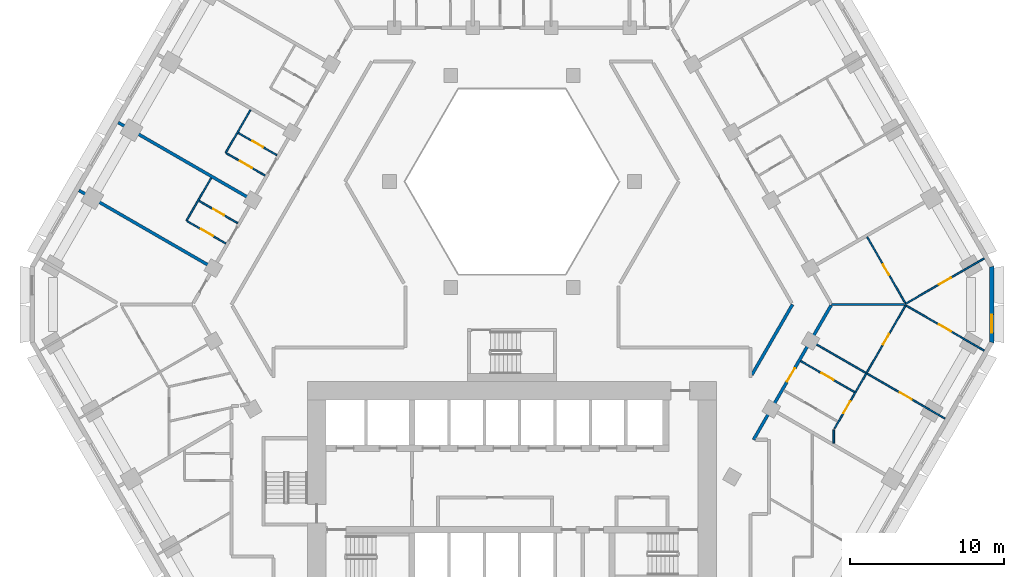
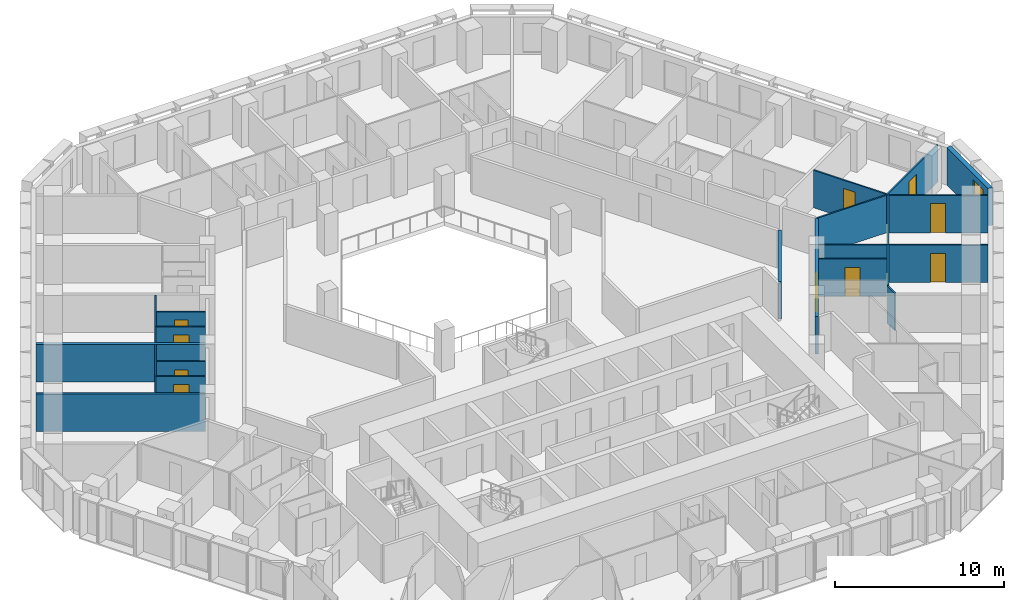
# One storey, part 7 of 16: 20 walls, 12 doors, 1 window, 13 openings.
"""IFC4 building model written with IfcOpenShell, lengths in metres."""

from ifc_helpers import new_model, si_unit, direction, frame, frame_2d, origin, place, context, subcontext, project, spatial, polyline, rectangle, outline, extrude, material, layer, layer_set, type_object, element, fill, save


model = new_model("IFC4")

# Units and contexts
model_context = context("Model", 3, precision=1e-05, world=origin(), true_north=direction((0.0, 1.0)))
body_context = subcontext(model_context, "Body", "Model", "MODEL_VIEW")
ifc_project = project(units=[si_unit("LENGTHUNIT", "METRE"), si_unit("AREAUNIT", "SQUARE_METRE"), si_unit("VOLUMEUNIT", "CUBIC_METRE"), si_unit("PLANEANGLEUNIT", "RADIAN"), si_unit("MASSUNIT", "GRAM", prefix="KILO")], contexts=[model_context])

# Site, building, storey
site_placement = place(None, origin())
site = spatial("IfcSite", under=ifc_project, at=site_placement, CompositionType="ELEMENT")
building_placement = place(site_placement, origin())
building = spatial("IfcBuilding", under=site, at=building_placement, Name="Beryl Residences", CompositionType="ELEMENT")
storey_placement = place(building_placement, frame((0.0, 0.0, 26.39990234375)))
storey = spatial("IfcBuildingStorey", under=building, at=storey_placement, Name="L07", CompositionType="ELEMENT", Elevation=26.39990234375)

# Wall, opening, window
ifc_material_1 = material(Name="Composite metal panel with mineral wool insulation")
ifc_layer_1 = layer(ifc_material_1, 0.300048828125)
ifc_layer_set_1 = layer_set([ifc_layer_1], Name="ES1 pale metal composite panel wall 300 mm")
wall_type_1 = type_object("IfcWallType", Name="ES1 pale metal composite panel wall 300 mm", PredefinedType="SOLIDWALL", material=ifc_layer_set_1)
wall_1_placement = place(storey_placement, frame((31.199951171875, -2.5, 0.0), z_axis=(0.0, 0.0, 1.0), x_axis=(0.0, 1.0, 0.0)))
wall_1 = element("IfcWall", 1, at=wall_1_placement, inside=storey, type_object=wall_type_1, Name="ES1 external wall L07 SE-NE", PredefinedType="SOLIDWALL", context=body_context, shape_type="SweptSolid", body=[
    extrude(outline(polyline([(0.0, -0.14990234375), (5.0, -0.14990234375), (4.919677734375, 0.14990234375), (0.080322265625, 0.14990234375), (0.0, -0.14990234375)])), origin(), (0.0, 0.0, 1.0), 2.7001953125),
])
opening_1_placement = place(wall_1_placement, frame((0.64990234375, 0.0, 0.14990234375)))
opening_1 = element("IfcOpeningElement", 2, at=opening_1_placement, cuts=wall_1, Name="Opening W2", PredefinedType="OPENING", context=body_context, shape_type="SweptSolid", body=[
    extrude(rectangle(XDim=1.199951171875, YDim=2.10009765625, at=frame_2d((0.60009765625, 1.050048828125))), frame((0.0, 0.159912109375, 0.0), z_axis=(0.0, -1.0, 0.0), x_axis=(1.0, 0.0, 0.0)), (0.0, 0.0, 1.0), 0.320068359375),
])
ifc_material_2 = material(Name="Aluminium and clear glass", Category="aluminium")
window_type = type_object("IfcWindowType", Name="W2 chamfer window 1200 x 2100 mm", PartitioningType="SINGLE_PANEL", PredefinedType="WINDOW", material=ifc_material_2)
window_placement = place(opening_1_placement, origin())
window = element("IfcWindow", 3, at=window_placement, inside=storey, type_object=window_type, Name="W2 window L07 SE-NE 1", OverallHeight=2.10009765625, OverallWidth=1.199951171875, PartitioningType="SINGLE_PANEL", PredefinedType="WINDOW", context=body_context, shape_type="SweptSolid", body=[
    extrude(rectangle(XDim=1.199951171875, YDim=2.10009765625, at=frame_2d((0.60009765625, 1.050048828125))), frame((0.0, 0.030029296875, 0.0), z_axis=(0.0, -1.0, 0.0), x_axis=(1.0, 0.0, 0.0)), (0.0, 0.0, 1.0), 0.06005859375),
])
fill(opening_1, window)

# Wall, opening, door
ifc_material_3 = material(Name="Gypsum board partition on steel studs", Category="steel")
ifc_layer_2 = layer(ifc_material_3, 0.10009765625)
ifc_layer_set_2 = layer_set([ifc_layer_2], Name="PT1 partition 100 mm gypsum board on steel studs")
wall_type_2 = type_object("IfcWallType", Name="PT1 partition 100 mm gypsum board on steel studs", PredefinedType="PARTITIONING", material=ifc_layer_set_2)
wall_2_placement = place(storey_placement, frame((23.10302734375, 4.384033203125, 0.0), z_axis=(0.0, 0.0, 1.0), x_axis=(0.500029609304, -0.86600830817, 0.0)))
wall_2 = element("IfcWall", 4, at=wall_2_placement, inside=storey, type_object=wall_type_2, Name="Wall PT1 L07 006", PredefinedType="PARTITIONING", context=body_context, shape_type="SweptSolid", body=[
    extrude(rectangle(XDim=4.953857421875, YDim=0.10009765625, at=frame_2d((2.47705078125, 0.0))), origin(), (0.0, 0.0, 1.0), 2.7001953125),
])
opening_2_placement = place(wall_2_placement, frame((2.052001953125, 0.0, 0.0)))
opening_2 = element("IfcOpeningElement", 5, at=opening_2_placement, cuts=wall_2, Name="Opening D0449", PredefinedType="OPENING", context=body_context, shape_type="SweptSolid", body=[
    extrude(rectangle(XDim=0.800048828125, YDim=2.10009765625, at=frame_2d((0.39990234375, 1.050048828125))), frame((0.0, 0.06005859375, 0.0), z_axis=(0.0, -1.0, 0.0), x_axis=(1.0, 0.0, 0.0)), (0.0, 0.0, 1.0), 0.1201171875),
])
ifc_material_4 = material(Name="Timber door leaf", Category="wood")
door_type_1 = type_object("IfcDoorType", Name="D3 bathroom door 800 x 2100 mm", OperationType="SINGLE_SWING_LEFT", PredefinedType="DOOR", material=ifc_material_4)
door_1_placement = place(opening_2_placement, origin())
door_1 = element("IfcDoor", 6, at=door_1_placement, inside=storey, type_object=door_type_1, Name="Door D0449 L07 001", OperationType="SINGLE_SWING_LEFT", OverallHeight=2.10009765625, OverallWidth=0.800048828125, PredefinedType="DOOR", context=body_context, shape_type="SweptSolid", body=[
    extrude(rectangle(XDim=0.800048828125, YDim=2.10009765625, at=frame_2d((0.39990234375, 1.050048828125))), frame((0.0, 0.02490234375, 0.0), z_axis=(0.0, -1.0, 0.0), x_axis=(1.0, 0.0, 0.0)), (0.0, 0.0, 1.0), 0.050048828125),
])
fill(opening_2, door_1)

wall_3_placement = place(storey_placement, frame((-20.364013671875, 6.7470703125, 0.0), z_axis=(0.0, 0.0, 1.0), x_axis=(0.866003949776, -0.500037157592, 0.0)))
wall_3 = element("IfcWall", 7, at=wall_3_placement, inside=storey, type_object=wall_type_2, Name="Wall PT1 L07 015", PredefinedType="PARTITIONING", context=body_context, shape_type="SweptSolid", body=[
    extrude(rectangle(XDim=2.909912109375, YDim=0.10009765625, at=frame_2d((1.455078125, 0.0))), origin(), (0.0, 0.0, 1.0), 2.7001953125),
])
opening_3_placement = place(wall_3_placement, frame((1.080078125, 0.0, 0.0)))
opening_3 = element("IfcOpeningElement", 8, at=opening_3_placement, cuts=wall_3, Name="Opening D0410", PredefinedType="OPENING", context=body_context, shape_type="SweptSolid", body=[
    extrude(rectangle(XDim=0.800048828125, YDim=2.10009765625, at=frame_2d((0.39990234375, 1.050048828125))), frame((0.0, 0.06005859375, 0.0), z_axis=(0.0, -1.0, 0.0), x_axis=(1.0, 0.0, 0.0)), (0.0, 0.0, 1.0), 0.1201171875),
])
door_2_placement = place(opening_3_placement, origin())
door_2 = element("IfcDoor", 9, at=door_2_placement, inside=storey, type_object=door_type_1, Name="Door D0410 L07 001", OperationType="SINGLE_SWING_RIGHT", OverallHeight=2.10009765625, OverallWidth=0.800048828125, PredefinedType="DOOR", context=body_context, shape_type="SweptSolid", body=[
    extrude(rectangle(XDim=0.800048828125, YDim=2.10009765625, at=frame_2d((0.39990234375, 1.050048828125))), frame((0.0, 0.02490234375, 0.0), z_axis=(0.0, -1.0, 0.0), x_axis=(1.0, 0.0, 0.0)), (0.0, 0.0, 1.0), 0.050048828125),
])
fill(opening_3, door_2)

wall_4_placement = place(storey_placement, frame((-21.12890625, 5.4208984375, 0.0), z_axis=(0.0, 0.0, 1.0), x_axis=(0.865935355752, -0.500155935342, 0.0)))
wall_4 = element("IfcWall", 10, at=wall_4_placement, inside=storey, type_object=wall_type_2, Name="Wall PT1 L07 016", PredefinedType="PARTITIONING", context=body_context, shape_type="SweptSolid", body=[
    extrude(rectangle(XDim=2.90869140625, YDim=0.10009765625, at=frame_2d((1.454345703125, 0.0))), origin(), (0.0, 0.0, 1.0), 2.7001953125),
])
opening_4_placement = place(wall_4_placement, frame((1.029052734375, 0.0, 0.0)))
opening_4 = element("IfcOpeningElement", 11, at=opening_4_placement, cuts=wall_4, Name="Opening D0409", PredefinedType="OPENING", context=body_context, shape_type="SweptSolid", body=[
    extrude(rectangle(XDim=0.89990234375, YDim=2.10009765625, at=frame_2d((0.449951171875, 1.050048828125))), frame((0.0, 0.06005859375, 0.0), z_axis=(0.0, -1.0, 0.0), x_axis=(1.0, 0.0, 0.0)), (0.0, 0.0, 1.0), 0.1201171875),
])
ifc_material_5 = material(Name="Timber door leaf", Category="wood")
door_type_2 = type_object("IfcDoorType", Name="D2 room door 900 x 2100 mm", OperationType="SINGLE_SWING_LEFT", PredefinedType="DOOR", material=ifc_material_5)
door_3_placement = place(opening_4_placement, origin())
door_3 = element("IfcDoor", 12, at=door_3_placement, inside=storey, type_object=door_type_2, Name="Door D0409 L07 001", OperationType="SINGLE_SWING_LEFT", OverallHeight=2.10009765625, OverallWidth=0.89990234375, PredefinedType="DOOR", context=body_context, shape_type="SweptSolid", body=[
    extrude(rectangle(XDim=0.89990234375, YDim=2.10009765625, at=frame_2d((0.449951171875, 1.050048828125))), frame((0.0, 0.02490234375, 0.0), z_axis=(0.0, -1.0, 0.0), x_axis=(1.0, 0.0, 0.0)), (0.0, 0.0, 1.0), 0.050048828125),
])
fill(opening_4, door_3)

wall_5_placement = place(storey_placement, frame((-18.576904296875, 9.841064453125, 0.0), z_axis=(0.0, 0.0, 1.0), x_axis=(0.865899003441, -0.500218867937, 0.0)))
wall_5 = element("IfcWall", 13, at=wall_5_placement, inside=storey, type_object=wall_type_2, Name="Wall PT1 L07 018", PredefinedType="PARTITIONING", context=body_context, shape_type="SweptSolid", body=[
    extrude(rectangle(XDim=2.908935546875, YDim=0.10009765625, at=frame_2d((1.45458984375, 0.0))), origin(), (0.0, 0.0, 1.0), 2.7001953125),
])
opening_5_placement = place(wall_5_placement, frame((1.029052734375, 0.0, 0.0)))
opening_5 = element("IfcOpeningElement", 14, at=opening_5_placement, cuts=wall_5, Name="Opening D0406", PredefinedType="OPENING", context=body_context, shape_type="SweptSolid", body=[
    extrude(rectangle(XDim=0.89990234375, YDim=2.10009765625, at=frame_2d((0.449951171875, 1.050048828125))), frame((0.0, 0.06005859375, 0.0), z_axis=(0.0, -1.0, 0.0), x_axis=(1.0, 0.0, 0.0)), (0.0, 0.0, 1.0), 0.1201171875),
])
door_4_placement = place(opening_5_placement, origin())
door_4 = element("IfcDoor", 15, at=door_4_placement, inside=storey, type_object=door_type_2, Name="Door D0406 L07 001", OperationType="SINGLE_SWING_RIGHT", OverallHeight=2.10009765625, OverallWidth=0.89990234375, PredefinedType="DOOR", context=body_context, shape_type="SweptSolid", body=[
    extrude(rectangle(XDim=0.89990234375, YDim=2.10009765625, at=frame_2d((0.449951171875, 1.050048828125))), frame((0.0, 0.02490234375, 0.0), z_axis=(0.0, -1.0, 0.0), x_axis=(1.0, 0.0, 0.0)), (0.0, 0.0, 1.0), 0.050048828125),
])
fill(opening_5, door_4)

wall_6_placement = place(storey_placement, frame((18.777099609375, -3.677001953125, 0.0), z_axis=(0.0, 0.0, 1.0), x_axis=(0.866000843773, -0.500042536776, 0.0)))
wall_6 = element("IfcWall", 16, at=wall_6_placement, inside=storey, type_object=wall_type_2, Name="Wall PT1 L07 023", PredefinedType="PARTITIONING", context=body_context, shape_type="SweptSolid", body=[
    extrude(rectangle(XDim=4.049560546875, YDim=0.10009765625, at=frame_2d((2.02490234375, 0.0))), origin(), (0.0, 0.0, 1.0), 2.7001953125),
])
opening_6_placement = place(wall_6_placement, frame((1.550048828125, 0.0, 0.0)))
opening_6 = element("IfcOpeningElement", 17, at=opening_6_placement, cuts=wall_6, Name="Opening D0443", PredefinedType="OPENING", context=body_context, shape_type="SweptSolid", body=[
    extrude(rectangle(XDim=0.89990234375, YDim=2.10009765625, at=frame_2d((0.449951171875, 1.050048828125))), frame((0.0, 0.06005859375, 0.0), z_axis=(0.0, -1.0, 0.0), x_axis=(1.0, 0.0, 0.0)), (0.0, 0.0, 1.0), 0.1201171875),
])
door_5_placement = place(opening_6_placement, origin())
door_5 = element("IfcDoor", 18, at=door_5_placement, inside=storey, type_object=door_type_2, Name="Door D0443 L07 001", OperationType="SINGLE_SWING_LEFT", OverallHeight=2.10009765625, OverallWidth=0.89990234375, PredefinedType="DOOR", context=body_context, shape_type="SweptSolid", body=[
    extrude(rectangle(XDim=0.89990234375, YDim=2.10009765625, at=frame_2d((0.449951171875, 1.050048828125))), frame((0.0, 0.02490234375, 0.0), z_axis=(0.0, -1.0, 0.0), x_axis=(1.0, 0.0, 0.0)), (0.0, 0.0, 1.0), 0.050048828125),
])
fill(opening_6, door_5)

wall_7_placement = place(storey_placement, frame((-17.81298828125, 11.1669921875, 0.0), z_axis=(0.0, 0.0, 1.0), x_axis=(0.866087824531, -0.499891868507, 0.0)))
wall_7 = element("IfcWall", 19, at=wall_7_placement, inside=storey, type_object=wall_type_2, Name="Wall PT1 L07 024", PredefinedType="PARTITIONING", context=body_context, shape_type="SweptSolid", body=[
    extrude(rectangle(XDim=2.910888671875, YDim=0.10009765625, at=frame_2d((1.45556640625, 0.0))), origin(), (0.0, 0.0, 1.0), 2.7001953125),
])
opening_7_placement = place(wall_7_placement, frame((1.080078125, 0.0, 0.0)))
opening_7 = element("IfcOpeningElement", 20, at=opening_7_placement, cuts=wall_7, Name="Opening D0407", PredefinedType="OPENING", context=body_context, shape_type="SweptSolid", body=[
    extrude(rectangle(XDim=0.800048828125, YDim=2.10009765625, at=frame_2d((0.39990234375, 1.050048828125))), frame((0.0, 0.06005859375, 0.0), z_axis=(0.0, -1.0, 0.0), x_axis=(1.0, 0.0, 0.0)), (0.0, 0.0, 1.0), 0.1201171875),
])
door_6_placement = place(opening_7_placement, origin())
door_6 = element("IfcDoor", 21, at=door_6_placement, inside=storey, type_object=door_type_1, Name="Door D0407 L07 001", OperationType="SINGLE_SWING_LEFT", OverallHeight=2.10009765625, OverallWidth=0.800048828125, PredefinedType="DOOR", context=body_context, shape_type="SweptSolid", body=[
    extrude(rectangle(XDim=0.800048828125, YDim=2.10009765625, at=frame_2d((0.39990234375, 1.050048828125))), frame((0.0, 0.02490234375, 0.0), z_axis=(0.0, -1.0, 0.0), x_axis=(1.0, 0.0, 0.0)), (0.0, 0.0, 1.0), 0.050048828125),
])
fill(opening_7, door_6)

wall_8_placement = place(storey_placement, frame((19.5029296875, -2.4189453125, 0.0), z_axis=(0.0, 0.0, 1.0), x_axis=(0.866047370643, -0.499961950354, 0.0)))
wall_8 = element("IfcWall", 22, at=wall_8_placement, inside=storey, type_object=wall_type_2, Name="Wall PT1 L07 025", PredefinedType="PARTITIONING", context=body_context, shape_type="SweptSolid", body=[
    extrude(rectangle(XDim=10.000732421875, YDim=0.10009765625, at=frame_2d((5.00048828125, 0.0))), origin(), (0.0, 0.0, 1.0), 2.7001953125),
])
opening_8_placement = place(wall_8_placement, frame((6.60009765625, 0.0, 0.0)))
opening_8 = element("IfcOpeningElement", 23, at=opening_8_placement, cuts=wall_8, Name="Opening D0445", PredefinedType="OPENING", context=body_context, shape_type="SweptSolid", body=[
    extrude(rectangle(XDim=0.89990234375, YDim=2.10009765625, at=frame_2d((0.449951171875, 1.050048828125))), frame((0.0, 0.06005859375, 0.0), z_axis=(0.0, -1.0, 0.0), x_axis=(1.0, 0.0, 0.0)), (0.0, 0.0, 1.0), 0.1201171875),
])
door_7_placement = place(opening_8_placement, origin())
door_7 = element("IfcDoor", 24, at=door_7_placement, inside=storey, type_object=door_type_2, Name="Door D0445 L07 001", OperationType="SINGLE_SWING_LEFT", OverallHeight=2.10009765625, OverallWidth=0.89990234375, PredefinedType="DOOR", context=body_context, shape_type="SweptSolid", body=[
    extrude(rectangle(XDim=0.89990234375, YDim=2.10009765625, at=frame_2d((0.449951171875, 1.050048828125))), frame((0.0, 0.02490234375, 0.0), z_axis=(0.0, -1.0, 0.0), x_axis=(1.0, 0.0, 0.0)), (0.0, 0.0, 1.0), 0.050048828125),
])
fill(opening_8, door_7)

wall_9_placement = place(storey_placement, frame((25.64892578125, -0.073974609375, 0.0), z_axis=(0.0, 0.0, 1.0), x_axis=(0.866059819573, -0.499940385368, 0.0)))
wall_9 = element("IfcWall", 25, at=wall_9_placement, inside=storey, type_object=wall_type_2, Name="Wall PT1 L07 026", PredefinedType="PARTITIONING", context=body_context, shape_type="SweptSolid", body=[
    extrude(rectangle(XDim=5.850830078125, YDim=0.10009765625, at=frame_2d((2.92529296875, 0.0))), origin(), (0.0, 0.0, 1.0), 2.7001953125),
])
opening_9_placement = place(wall_9_placement, frame((2.449951171875, 0.0, 0.0)))
opening_9 = element("IfcOpeningElement", 26, at=opening_9_placement, cuts=wall_9, Name="Opening D0446", PredefinedType="OPENING", context=body_context, shape_type="SweptSolid", body=[
    extrude(rectangle(XDim=0.89990234375, YDim=2.10009765625, at=frame_2d((0.449951171875, 1.050048828125))), frame((0.0, 0.06005859375, 0.0), z_axis=(0.0, -1.0, 0.0), x_axis=(1.0, 0.0, 0.0)), (0.0, 0.0, 1.0), 0.1201171875),
])
door_8_placement = place(opening_9_placement, origin())
door_8 = element("IfcDoor", 27, at=door_8_placement, inside=storey, type_object=door_type_2, Name="Door D0446 L07 001", OperationType="SINGLE_SWING_RIGHT", OverallHeight=2.10009765625, OverallWidth=0.89990234375, PredefinedType="DOOR", context=body_context, shape_type="SweptSolid", body=[
    extrude(rectangle(XDim=0.89990234375, YDim=2.10009765625, at=frame_2d((0.449951171875, 1.050048828125))), frame((0.0, 0.02490234375, 0.0), z_axis=(0.0, -1.0, 0.0), x_axis=(1.0, 0.0, 0.0)), (0.0, 0.0, 1.0), 0.050048828125),
])
fill(opening_9, door_8)

# Wall
wall_10_placement = place(storey_placement, frame((20.783935546875, 0.0009765625, 0.0), z_axis=(0.0, 0.0, 1.0), x_axis=(1.0, 0.0, 0.0)))
element("IfcWall", 28, at=wall_10_placement, inside=storey, type_object=wall_type_2, Name="Wall PT1 L07 034", PredefinedType="PARTITIONING", context=body_context, shape_type="SweptSolid", body=[
    extrude(rectangle(XDim=4.736083984375, YDim=0.10009765625, at=frame_2d((2.3681640625, 0.0))), origin(), (0.0, 0.0, 1.0), 2.7001953125),
])

# Wall, opening, door
wall_11_placement = place(storey_placement, frame((20.97802734375, -8.06494140625, 0.0), z_axis=(0.0, 0.0, 1.0), x_axis=(0.499965068118, 0.866045570776, 0.0)))
wall_11 = element("IfcWall", 29, at=wall_11_placement, inside=storey, type_object=wall_type_2, Name="Wall PT1 L07 040", PredefinedType="PARTITIONING", context=body_context, shape_type="SweptSolid", body=[
    extrude(rectangle(XDim=4.152099609375, YDim=0.10009765625, at=frame_2d((2.076171875, 0.0))), origin(), (0.0, 0.0, 1.0), 2.7001953125),
])
opening_10_placement = place(wall_11_placement, frame((1.14990234375, 0.0, 0.0)))
opening_10 = element("IfcOpeningElement", 30, at=opening_10_placement, cuts=wall_11, Name="Opening D0444", PredefinedType="OPENING", context=body_context, shape_type="SweptSolid", body=[
    extrude(rectangle(XDim=0.89990234375, YDim=2.10009765625, at=frame_2d((0.449951171875, 1.050048828125))), frame((0.0, 0.06005859375, 0.0), z_axis=(0.0, -1.0, 0.0), x_axis=(1.0, 0.0, 0.0)), (0.0, 0.0, 1.0), 0.1201171875),
])
door_9_placement = place(opening_10_placement, origin())
door_9 = element("IfcDoor", 31, at=door_9_placement, inside=storey, type_object=door_type_2, Name="Door D0444 L07 001", OperationType="SINGLE_SWING_RIGHT", OverallHeight=2.10009765625, OverallWidth=0.89990234375, PredefinedType="DOOR", context=body_context, shape_type="SweptSolid", body=[
    extrude(rectangle(XDim=0.89990234375, YDim=2.10009765625, at=frame_2d((0.449951171875, 1.050048828125))), frame((0.0, 0.02490234375, 0.0), z_axis=(0.0, -1.0, 0.0), x_axis=(1.0, 0.0, 0.0)), (0.0, 0.0, 1.0), 0.050048828125),
])
fill(opening_10, door_9)

# Walls
wall_12_placement = place(storey_placement, frame((-21.173095703125, 5.447021484375, 0.0), z_axis=(0.0, 0.0, 1.0), x_axis=(0.500162542782, 0.865931539325, 0.0)))
element("IfcWall", 32, at=wall_12_placement, inside=storey, type_object=wall_type_2, Name="Wall PT1 L07 042", PredefinedType="PARTITIONING", context=body_context, shape_type="SweptSolid", body=[
    extrude(rectangle(XDim=3.21728515625, YDim=0.10009765625, at=frame_2d((1.608642578125, 0.0))), origin(), (0.0, 0.0, 1.0), 2.7001953125),
])
wall_13_placement = place(storey_placement, frame((-18.62109375, 9.866943359375, 0.0), z_axis=(0.0, 0.0, 1.0), x_axis=(0.500197891286, 0.865911121047, 0.0)))
element("IfcWall", 33, at=wall_13_placement, inside=storey, type_object=wall_type_2, Name="Wall PT1 L07 043", PredefinedType="PARTITIONING", context=body_context, shape_type="SweptSolid", body=[
    extrude(rectangle(XDim=3.215087890625, YDim=0.10009765625, at=frame_2d((1.607421875, 0.0))), origin(), (0.0, 0.0, 1.0), 2.7001953125),
])
wall_14_placement = place(storey_placement, frame((20.927978515625, -9.02001953125, 0.0), z_axis=(0.0, 0.0, 1.0), x_axis=(0.0, 1.0, 0.0)))
element("IfcWall", 34, at=wall_14_placement, inside=storey, type_object=wall_type_2, Name="Wall PT1 L07 048", PredefinedType="PARTITIONING", context=body_context, shape_type="SweptSolid", body=[
    extrude(rectangle(XDim=0.869140625, YDim=0.10009765625, at=frame_2d((0.4345703125, 0.0))), origin(), (0.0, 0.0, 1.0), 2.7001953125),
])

# Wall, opening, door
wall_15_placement = place(storey_placement, frame((25.587890625, 0.041015625, 0.0), z_axis=(0.0, 0.0, 1.0), x_axis=(0.866113484451, 0.499847408768, 0.0)))
wall_15 = element("IfcWall", 35, at=wall_15_placement, inside=storey, type_object=wall_type_2, Name="Wall PT1 L07 063", PredefinedType="PARTITIONING", context=body_context, shape_type="SweptSolid", body=[
    extrude(rectangle(XDim=5.919677734375, YDim=0.10009765625, at=frame_2d((2.9599609375, 0.0))), origin(), (0.0, 0.0, 1.0), 2.7001953125),
])
opening_11_placement = place(wall_15_placement, frame((2.510009765625, 0.0, 0.0)))
opening_11 = element("IfcOpeningElement", 36, at=opening_11_placement, cuts=wall_15, Name="Opening D0447", PredefinedType="OPENING", context=body_context, shape_type="SweptSolid", body=[
    extrude(rectangle(XDim=0.89990234375, YDim=2.10009765625, at=frame_2d((0.449951171875, 1.050048828125))), frame((0.0, 0.06005859375, 0.0), z_axis=(0.0, -1.0, 0.0), x_axis=(1.0, 0.0, 0.0)), (0.0, 0.0, 1.0), 0.1201171875),
])
door_10_placement = place(opening_11_placement, origin())
door_10 = element("IfcDoor", 37, at=door_10_placement, inside=storey, type_object=door_type_2, Name="Door D0447 L07 001", OperationType="SINGLE_SWING_LEFT", OverallHeight=2.10009765625, OverallWidth=0.89990234375, PredefinedType="DOOR", context=body_context, shape_type="SweptSolid", body=[
    extrude(rectangle(XDim=0.89990234375, YDim=2.10009765625, at=frame_2d((0.449951171875, 1.050048828125))), frame((0.0, 0.02490234375, 0.0), z_axis=(0.0, -1.0, 0.0), x_axis=(1.0, 0.0, 0.0)), (0.0, 0.0, 1.0), 0.050048828125),
])
fill(opening_11, door_10)

wall_16_placement = place(storey_placement, frame((23.053955078125, -4.468994140625, 0.0), z_axis=(0.0, 0.0, 1.0), x_axis=(0.500023345639, 0.866011924754, 0.0)))
wall_16 = element("IfcWall", 38, at=wall_16_placement, inside=storey, type_object=wall_type_2, Name="Wall PT1 L07 074", PredefinedType="PARTITIONING", context=body_context, shape_type="SweptSolid", body=[
    extrude(rectangle(XDim=5.103759765625, YDim=0.10009765625, at=frame_2d((2.5517578125, 0.0))), origin(), (0.0, 0.0, 1.0), 2.7001953125),
])
opening_12_placement = place(wall_16_placement, frame((2.152099609375, 0.0, 0.0)))
opening_12 = element("IfcOpeningElement", 39, at=opening_12_placement, cuts=wall_16, Name="Opening D0448", PredefinedType="OPENING", context=body_context, shape_type="SweptSolid", body=[
    extrude(rectangle(XDim=0.800048828125, YDim=2.10009765625, at=frame_2d((0.39990234375, 1.050048828125))), frame((0.0, 0.06005859375, 0.0), z_axis=(0.0, -1.0, 0.0), x_axis=(1.0, 0.0, 0.0)), (0.0, 0.0, 1.0), 0.1201171875),
])
door_11_placement = place(opening_12_placement, origin())
door_11 = element("IfcDoor", 40, at=door_11_placement, inside=storey, type_object=door_type_1, Name="Door D0448 L07 001", OperationType="SINGLE_SWING_RIGHT", OverallHeight=2.10009765625, OverallWidth=0.800048828125, PredefinedType="DOOR", context=body_context, shape_type="SweptSolid", body=[
    extrude(rectangle(XDim=0.800048828125, YDim=2.10009765625, at=frame_2d((0.39990234375, 1.050048828125))), frame((0.0, 0.02490234375, 0.0), z_axis=(0.0, -1.0, 0.0), x_axis=(1.0, 0.0, 0.0)), (0.0, 0.0, 1.0), 0.050048828125),
])
fill(opening_12, door_11)

# Walls
ifc_material_6 = material(Name="Acoustic double stud gypsum board wall")
ifc_layer_3 = layer(ifc_material_6, 0.199951171875)
ifc_layer_set_3 = layer_set([ifc_layer_3], Name="PT3 party wall 200 mm acoustic double stud")
wall_type_3 = type_object("IfcWallType", Name="PT3 party wall 200 mm acoustic double stud", PredefinedType="PARTITIONING", material=ifc_layer_set_3)
for number, where, z_axis, x_axis, name in (
    (41, (-28.1630859375, 7.4189453125, 0.0), (0.0, 0.0, 1.0), (0.866022959057, -0.500004234368, 0.0), "Wall PT3 L07 005"),
    (42, (-25.611083984375, 11.839111328125, 0.0), (0.0, 0.0, 1.0), (0.866022959057, -0.500004234368, 0.0), "Wall PT3 L07 007"),
):
    element("IfcWall", number, at=place(storey_placement, frame(where, z_axis=z_axis, x_axis=x_axis)), inside=storey, type_object=wall_type_3, Name=name, PredefinedType="PARTITIONING", context=body_context, shape_type="SweptSolid", body=[
        extrude(rectangle(XDim=10.0, YDim=0.199951171875, at=frame_2d((5.0, 0.0))), origin(), (0.0, 0.0, 1.0), 2.7001953125),
    ])
ifc_material_7 = material(Name="Double stud gypsum board wall")
ifc_layer_4 = layer(ifc_material_7, 0.199951171875)
ifc_layer_set_4 = layer_set([ifc_layer_4], Name="PT4 corridor wall 200 mm double stud")
wall_type_4 = type_object("IfcWallType", Name="PT4 corridor wall 200 mm double stud", PredefinedType="PARTITIONING", material=ifc_layer_set_4)
wall_17_placement = place(storey_placement, frame((15.60009765625, -4.5791015625, 0.0), z_axis=(0.0, 0.0, 1.0), x_axis=(0.499927597274, 0.866067201483, 0.0)))
element("IfcWall", 43, at=wall_17_placement, inside=storey, type_object=wall_type_4, Name="Wall PT4 L07 020", PredefinedType="PARTITIONING", context=body_context, shape_type="SweptSolid", body=[
    extrude(rectangle(XDim=5.288330078125, YDim=0.199951171875, at=frame_2d((2.64404296875, 0.0))), origin(), (0.0, 0.0, 1.0), 2.7001953125),
])

# Wall, opening, door
wall_18_placement = place(storey_placement, frame((15.70703125, -8.7939453125, 0.0), z_axis=(0.0, 0.0, 1.0), x_axis=(0.500016151272, 0.866016078642, 0.0)))
wall_18 = element("IfcWall", 44, at=wall_18_placement, inside=storey, type_object=wall_type_4, Name="Wall PT4 L07 021", PredefinedType="PARTITIONING", context=body_context, shape_type="SweptSolid", body=[
    extrude(rectangle(XDim=10.097900390625, YDim=0.199951171875, at=frame_2d((5.048828125, 0.0))), origin(), (0.0, 0.0, 1.0), 2.7001953125),
])
opening_13_placement = place(wall_18_placement, frame((4.366943359375, 0.0, 0.0)))
opening_13 = element("IfcOpeningElement", 45, at=opening_13_placement, cuts=wall_18, Name="Opening D0441", PredefinedType="OPENING", context=body_context, shape_type="SweptSolid", body=[
    extrude(rectangle(XDim=1.0, YDim=2.10009765625, at=frame_2d((0.5, 1.050048828125))), frame((0.0, 0.10986328125, 0.0), z_axis=(0.0, -1.0, 0.0), x_axis=(1.0, 0.0, 0.0)), (0.0, 0.0, 1.0), 0.219970703125),
])
ifc_material_8 = material(Name="Timber door leaf", Category="wood")
door_type_3 = type_object("IfcDoorType", Name="D1 flat entrance door 1000 x 2100 mm", OperationType="SINGLE_SWING_LEFT", PredefinedType="DOOR", material=ifc_material_8)
door_12_placement = place(opening_13_placement, origin())
door_12 = element("IfcDoor", 46, at=door_12_placement, inside=storey, type_object=door_type_3, Name="Door D0441 L07 001", OperationType="SINGLE_SWING_LEFT", OverallHeight=2.10009765625, OverallWidth=1.0, PredefinedType="DOOR", context=body_context, shape_type="SweptSolid", body=[
    extrude(rectangle(XDim=1.0, YDim=2.10009765625, at=frame_2d((0.5, 1.050048828125))), frame((0.0, 0.02490234375, 0.0), z_axis=(0.0, -1.0, 0.0), x_axis=(1.0, 0.0, 0.0)), (0.0, 0.0, 1.0), 0.050048828125),
])
fill(opening_13, door_12)

save(model, "model.ifc")
